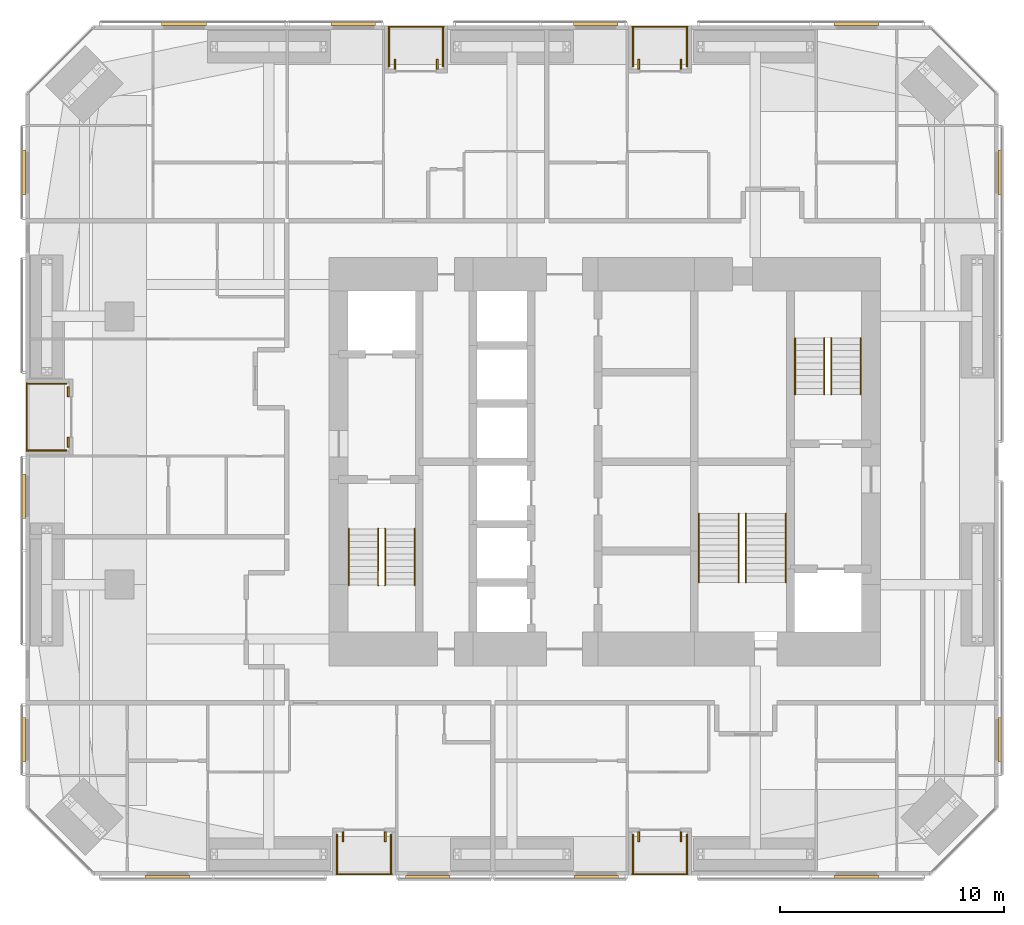
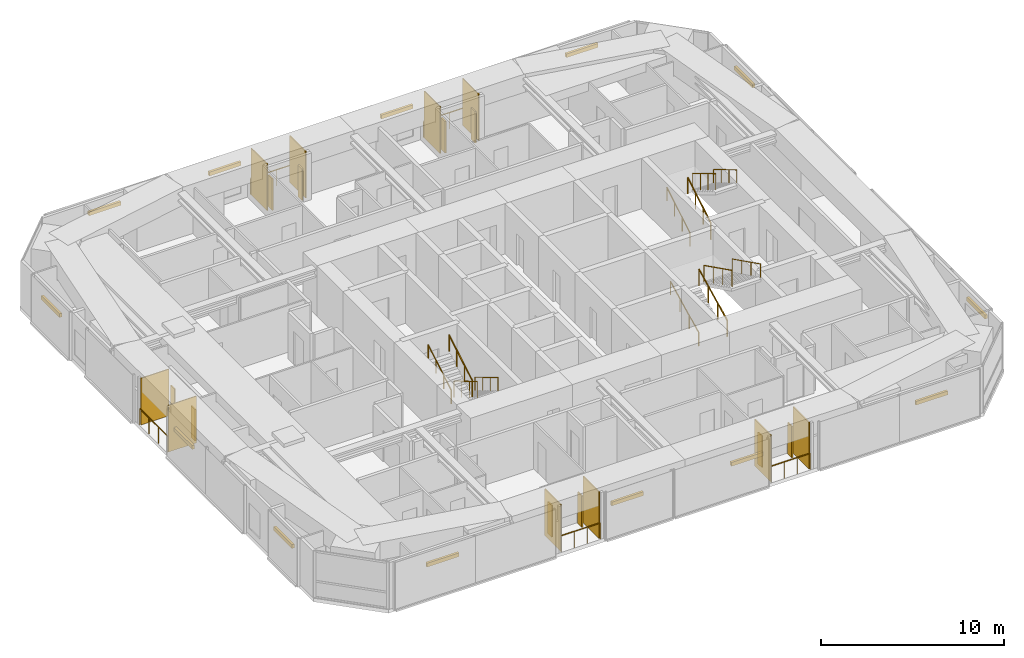
# One storey, part 24 of 24: 33 shading devices, 17 railings.
"""IFC4 building model written with IfcOpenShell, lengths in metres."""

from ifc_helpers import new_model, si_unit, direction, frame, origin, origin_2d, place, context, subcontext, project, spatial, rectangle, circle, extrude, material, layer, layer_set, constituent, constituent_set, type_object, element, save


model = new_model("IFC4")

# Units and contexts
model_context = context("Model", 3, precision=1e-05, world=origin(), true_north=direction((0.0, 1.0)))
body_context = subcontext(model_context, "Body", "Model", "MODEL_VIEW")
ifc_project = project(units=[si_unit("LENGTHUNIT", "METRE"), si_unit("AREAUNIT", "SQUARE_METRE"), si_unit("VOLUMEUNIT", "CUBIC_METRE"), si_unit("PLANEANGLEUNIT", "RADIAN"), si_unit("MASSUNIT", "GRAM", prefix="KILO")], contexts=[model_context])

# Site, building, storey
site_placement = place(None, origin())
site = spatial("IfcSite", under=ifc_project, at=site_placement, CompositionType="ELEMENT")
building_placement = place(site_placement, origin())
building = spatial("IfcBuilding", under=site, at=building_placement, Name="Jalousie Tower", CompositionType="ELEMENT")
storey_placement = place(building_placement, frame((0.0, 0.0, 128.300048828125)))
storey = spatial("IfcBuildingStorey", under=building, at=storey_placement, Name="L35", CompositionType="ELEMENT", Elevation=128.300048828125)

# Shading devices
ifc_material_1 = material(Name="Aluminium impact-rated louvred storm shutter", Category="aluminium")
shading_device_type_1 = type_object("IfcShadingDeviceType", Name="BI-FOLD STORM SHUTTER 900x2100", PredefinedType="SHUTTER", material=ifc_material_1)
for number, where, z_axis, x_axis, name in (
    (1, (20.197509765625, 1.72509765625, 0.0), (0.0, 0.0, 1.0), (0.0, 1.0, 0.0), "Loggia storm shutter L35"),
    (2, (22.077392578125, 1.72509765625, 0.0), (0.0, 0.0, 1.0), (0.0, 1.0, 0.0), "Loggia storm shutter L35"),
    (3, (33.422607421875, 1.72509765625, 0.0), (0.0, 0.0, 1.0), (0.0, 1.0, 0.0), "Loggia storm shutter L35"),
    (4, (35.302490234375, 1.72509765625, 0.0), (0.0, 0.0, 1.0), (0.0, 1.0, 0.0), "Loggia storm shutter L35"),
    (5, (35.302490234375, 36.27490234375, 0.0), (0.0, 0.0, 1.0), (0.0, -1.0, 0.0), "Loggia storm shutter L35"),
    (6, (33.422607421875, 36.27490234375, 0.0), (0.0, 0.0, 1.0), (0.0, -1.0, 0.0), "Loggia storm shutter L35"),
    (7, (24.402587890625, 36.27490234375, 0.0), (0.0, 0.0, 1.0), (0.0, -1.0, 0.0), "Loggia storm shutter L35"),
    (8, (22.5224609375, 36.27490234375, 0.0), (0.0, 0.0, 1.0), (0.0, -1.0, 0.0), "Loggia storm shutter L35"),
    (9, (7.909912109375, 21.61865234375, 0.0), (0.0, 0.0, 1.0), (0.0, -1.0, 0.0), "Loggia storm shutter L35"),
    (10, (7.909912109375, 19.36865234375, 0.0), (0.0, 0.0, 1.0), (0.0, -1.0, 0.0), "Loggia storm shutter L35"),
):
    element("IfcShadingDevice", number, at=place(storey_placement, frame(where, z_axis=z_axis, x_axis=x_axis)), inside=storey, type_object=shading_device_type_1, Name=name, PredefinedType="SHUTTER", context=body_context, shape_type="SweptSolid", body=[
        extrude(rectangle(XDim=0.449951171875, YDim=0.080078125, at=origin_2d()), origin(), (0.0, 0.0, 1.0), 2.10009765625),
    ])

# Railings
ifc_material_2 = material(Name="Powder-coated aluminium fretwork", Category="aluminium")
railing_type_1 = type_object("IfcRailingType", Name="FRETWORK BALUSTRADE 1100", PredefinedType="BALUSTRADE", material=ifc_material_2)
for number, where, name in (
    (11, (19.89990234375, 0.050048828125, 0.0), "Loggia fretwork balustrade L35"),
    (12, (33.125, 0.050048828125, 0.0), "Loggia fretwork balustrade L35"),
):
    element("IfcRailing", number, at=place(storey_placement, frame(where)), inside=storey, type_object=railing_type_1, Name=name, PredefinedType="BALUSTRADE", context=body_context, shape_type="SweptSolid", body=[
        extrude(rectangle(XDim=0.048095703125, YDim=0.048095703125, at=origin_2d()), frame((0.0, 0.0, 1.076171875), z_axis=(1.0, 0.0, 0.0), x_axis=(0.0, 1.0, 0.0)), (0.0, 0.0, 1.0), 2.47509765625),
        extrude(circle(Radius=0.02099609375, at=origin_2d()), origin(), (0.0, 0.0, 1.0), 1.052001953125),
        extrude(circle(Radius=0.02099609375, at=origin_2d()), frame((0.824951171875, 0.0, 0.0)), (0.0, 0.0, 1.0), 1.052001953125),
        extrude(circle(Radius=0.02099609375, at=origin_2d()), frame((1.650146484375, 0.0, 0.0)), (0.0, 0.0, 1.0), 1.052001953125),
        extrude(circle(Radius=0.02099609375, at=origin_2d()), frame((2.47509765625, 0.0, 0.0)), (0.0, 0.0, 1.0), 1.052001953125),
    ])
railing_1_placement = place(storey_placement, frame((35.60009765625, 37.949951171875, 0.0)))
element("IfcRailing", 13, at=railing_1_placement, inside=storey, type_object=railing_type_1, Name="Loggia fretwork balustrade L35", PredefinedType="BALUSTRADE", context=body_context, shape_type="SweptSolid", body=[
    extrude(rectangle(XDim=0.048095703125, YDim=0.048095703125, at=origin_2d()), frame((0.0, 0.0, 1.076171875), z_axis=(-1.0, 0.0, 0.0), x_axis=(0.0, -1.0, 0.0)), (0.0, 0.0, 1.0), 2.47509765625),
    extrude(circle(Radius=0.02099609375, at=origin_2d()), origin(), (0.0, 0.0, 1.0), 1.052001953125),
    extrude(circle(Radius=0.02099609375, at=origin_2d()), frame((-0.824951171875, 0.0, 0.0)), (0.0, 0.0, 1.0), 1.052001953125),
    extrude(circle(Radius=0.02099609375, at=origin_2d()), frame((-1.650146484375, 0.0, 0.0)), (0.0, 0.0, 1.0), 1.052001953125),
    extrude(circle(Radius=0.02099609375, at=origin_2d()), frame((-2.47509765625, 0.0, 0.0)), (0.0, 0.0, 1.0), 1.052001953125),
])
railing_2_placement = place(storey_placement, frame((24.699951171875, 37.949951171875, 0.0)))
element("IfcRailing", 14, at=railing_2_placement, inside=storey, type_object=railing_type_1, Name="Loggia fretwork balustrade L35", PredefinedType="BALUSTRADE", context=body_context, shape_type="SweptSolid", body=[
    extrude(rectangle(XDim=0.048095703125, YDim=0.048095703125, at=origin_2d()), frame((0.0, 0.0, 1.076171875), z_axis=(-1.0, 0.0, 0.0), x_axis=(0.0, -1.0, 0.0)), (0.0, 0.0, 1.0), 2.474853515625),
    extrude(circle(Radius=0.02099609375, at=origin_2d()), origin(), (0.0, 0.0, 1.0), 1.052001953125),
    extrude(circle(Radius=0.02099609375, at=origin_2d()), frame((-0.824951171875, 0.0, 0.0)), (0.0, 0.0, 1.0), 1.052001953125),
    extrude(circle(Radius=0.02099609375, at=origin_2d()), frame((-1.64990234375, 0.0, 0.0)), (0.0, 0.0, 1.0), 1.052001953125),
    extrude(circle(Radius=0.02099609375, at=origin_2d()), frame((-2.474853515625, 0.0, 0.0)), (0.0, 0.0, 1.0), 1.052001953125),
])
railing_3_placement = place(storey_placement, frame((6.050048828125, 22.012451171875, 0.0)))
element("IfcRailing", 15, at=railing_3_placement, inside=storey, type_object=railing_type_1, Name="Loggia fretwork balustrade L35", PredefinedType="BALUSTRADE", context=body_context, shape_type="SweptSolid", body=[
    extrude(rectangle(XDim=0.048095703125, YDim=0.048095703125, at=origin_2d()), frame((0.0, 0.0, 1.076171875), z_axis=(0.0, -1.0, 0.0), x_axis=(1.0, 0.0, 0.0)), (0.0, 0.0, 1.0), 3.037353515625),
    extrude(circle(Radius=0.02099609375, at=origin_2d()), origin(), (0.0, 0.0, 1.0), 1.052001953125),
    extrude(circle(Radius=0.02099609375, at=origin_2d()), frame((0.0, -1.012451171875, 0.0)), (0.0, 0.0, 1.0), 1.052001953125),
    extrude(circle(Radius=0.02099609375, at=origin_2d()), frame((0.0, -2.02490234375, 0.0)), (0.0, 0.0, 1.0), 1.052001953125),
    extrude(circle(Radius=0.02099609375, at=origin_2d()), frame((0.0, -3.037353515625, 0.0)), (0.0, 0.0, 1.0), 1.052001953125),
])

# Shading devices
ifc_material_3 = material(Name="Powder-coated aluminium louvres", Category="aluminium")
ifc_layer = layer(ifc_material_3, 0.06005859375)
ifc_layer_set = layer_set([ifc_layer], Name="Powder-coated aluminium louvres")
shading_device_type_2 = type_object("IfcShadingDeviceType", Name="JALOUSIE LOUVRE SCREEN", PredefinedType="JALOUSIE", material=ifc_layer_set)
for number, where, z_axis, x_axis, name in (
    (16, (19.929931640625, 0.97509765625, 0.0), (0.0, 0.0, 1.0), (1.0, 0.0, 0.0), "Loggia jalousie louvre screen L35"),
    (17, (22.344970703125, 0.97509765625, 0.0), (0.0, 0.0, 1.0), (1.0, 0.0, 0.0), "Loggia jalousie louvre screen L35"),
    (18, (33.155029296875, 0.97509765625, 0.0), (0.0, 0.0, 1.0), (1.0, 0.0, 0.0), "Loggia jalousie louvre screen L35"),
    (19, (35.570068359375, 0.97509765625, 0.0), (0.0, 0.0, 1.0), (1.0, 0.0, 0.0), "Loggia jalousie louvre screen L35"),
    (20, (35.570068359375, 37.02490234375, 0.0), (0.0, 0.0, 1.0), (-1.0, 0.0, 0.0), "Loggia jalousie louvre screen L35"),
    (21, (33.155029296875, 37.02490234375, 0.0), (0.0, 0.0, 1.0), (-1.0, 0.0, 0.0), "Loggia jalousie louvre screen L35"),
    (22, (24.669921875, 37.02490234375, 0.0), (0.0, 0.0, 1.0), (-1.0, 0.0, 0.0), "Loggia jalousie louvre screen L35"),
    (23, (22.2548828125, 37.02490234375, 0.0), (0.0, 0.0, 1.0), (-1.0, 0.0, 0.0), "Loggia jalousie louvre screen L35"),
    (24, (6.97509765625, 21.982421875, 0.0), (0.0, 0.0, 1.0), (0.0, -1.0, 0.0), "Loggia jalousie louvre screen L35"),
    (25, (6.97509765625, 19.0048828125, 0.0), (0.0, 0.0, 1.0), (0.0, -1.0, 0.0), "Loggia jalousie louvre screen L35"),
):
    element("IfcShadingDevice", number, at=place(storey_placement, frame(where, z_axis=z_axis, x_axis=x_axis)), inside=storey, type_object=shading_device_type_2, Name=name, PredefinedType="JALOUSIE", context=body_context, shape_type="SweptSolid", body=[
        extrude(rectangle(XDim=0.06005859375, YDim=1.75, at=origin_2d()), origin(), (0.0, 0.0, 1.0), 3.110107421875),
    ])

# Railings
ifc_material_4 = material(Name="Steel ASTM A500 Grade C", Category="steel")
ifc_constituent_1 = constituent(ifc_material_4, Name="Body")
ifc_material_5 = material(Name="Hot-dip galvanised zinc coating")
ifc_constituent_2 = constituent(ifc_material_5, Name="Finish")
ifc_constituent_set_1 = constituent_set(constituents=[ifc_constituent_1, ifc_constituent_2])
railing_type_2 = type_object("IfcRailingType", Name="STAIR GUARD 1100", PredefinedType="GUARDRAIL", material=ifc_constituent_set_1)
railing_4_placement = place(storey_placement, frame((22.080078125, 15.49755859375, 0.16748046875)))
element("IfcRailing", 26, at=railing_4_placement, inside=storey, type_object=railing_type_2, Name="Exit stair A guard L35 flight 1", PredefinedType="GUARDRAIL", context=body_context, shape_type="SweptSolid", body=[
    extrude(rectangle(XDim=0.048095703125, YDim=0.048095703125, at=origin_2d()), frame((0.0, 0.0, 1.076171875), z_axis=(0.0, -0.858159760407, 0.513382728203), x_axis=(1.0, 0.0, 0.0)), (0.0, 0.0, 1.0), 2.9365234375),
    extrude(circle(Radius=0.02099609375, at=origin_2d()), origin(), (0.0, 0.0, 1.0), 1.052001953125),
    extrude(circle(Radius=0.02099609375, at=origin_2d()), frame((0.0, -0.840087890625, 0.50244140625)), (0.0, 0.0, 1.0), 1.052001953125),
    extrude(circle(Radius=0.02099609375, at=origin_2d()), frame((0.0, -1.679931640625, 1.005126953125)), (0.0, 0.0, 1.0), 1.052001953125),
    extrude(circle(Radius=0.02099609375, at=origin_2d()), frame((0.0, -2.52001953125, 1.507568359375)), (0.0, 0.0, 1.0), 1.052001953125),
])
railing_5_placement = place(storey_placement, frame((21.77001953125, 12.9775390625, 1.842529296875)))
element("IfcRailing", 27, at=railing_5_placement, inside=storey, type_object=railing_type_2, Name="Exit stair A guard L35 flight 2", PredefinedType="GUARDRAIL", context=body_context, shape_type="SweptSolid", body=[
    extrude(rectangle(XDim=0.048095703125, YDim=0.048095703125, at=origin_2d()), frame((0.0, 0.0, 1.076171875), z_axis=(0.0, 0.858196387827, 0.513321497621), x_axis=(-1.0, 0.0, 0.0)), (0.0, 0.0, 1.0), 2.9365234375),
    extrude(circle(Radius=0.02099609375, at=origin_2d()), origin(), (0.0, 0.0, 1.0), 1.052001953125),
    extrude(circle(Radius=0.02099609375, at=origin_2d()), frame((0.0, 0.840087890625, 0.50244140625)), (0.0, 0.0, 1.0), 1.052001953125),
    extrude(circle(Radius=0.02099609375, at=origin_2d()), frame((0.0, 1.679931640625, 1.0048828125)), (0.0, 0.0, 1.0), 1.052001953125),
    extrude(circle(Radius=0.02099609375, at=origin_2d()), frame((0.0, 2.52001953125, 1.50732421875)), (0.0, 0.0, 1.0), 1.052001953125),
])
railing_6_placement = place(storey_placement, frame((41.719970703125, 21.50244140625, 0.16748046875)))
element("IfcRailing", 28, at=railing_6_placement, inside=storey, type_object=railing_type_2, Name="Exit stair B guard L35 flight 1", PredefinedType="GUARDRAIL", context=body_context, shape_type="SweptSolid", body=[
    extrude(rectangle(XDim=0.048095703125, YDim=0.048095703125, at=origin_2d()), frame((0.0, 0.0, 1.076171875), z_axis=(0.0, 0.858159760407, 0.513382728203), x_axis=(-1.0, 0.0, 0.0)), (0.0, 0.0, 1.0), 2.9365234375),
    extrude(circle(Radius=0.02099609375, at=origin_2d()), origin(), (0.0, 0.0, 1.0), 1.052001953125),
    extrude(circle(Radius=0.02099609375, at=origin_2d()), frame((0.0, 0.840087890625, 0.50244140625)), (0.0, 0.0, 1.0), 1.052001953125),
    extrude(circle(Radius=0.02099609375, at=origin_2d()), frame((0.0, 1.679931640625, 1.005126953125)), (0.0, 0.0, 1.0), 1.052001953125),
    extrude(circle(Radius=0.02099609375, at=origin_2d()), frame((0.0, 2.52001953125, 1.507568359375)), (0.0, 0.0, 1.0), 1.052001953125),
])
railing_7_placement = place(storey_placement, frame((42.030029296875, 24.0224609375, 1.842529296875)))
element("IfcRailing", 29, at=railing_7_placement, inside=storey, type_object=railing_type_2, Name="Exit stair B guard L35 flight 2", PredefinedType="GUARDRAIL", context=body_context, shape_type="SweptSolid", body=[
    extrude(rectangle(XDim=0.048095703125, YDim=0.048095703125, at=origin_2d()), frame((0.0, 0.0, 1.076171875), z_axis=(0.0, -0.858196387827, 0.513321497621), x_axis=(1.0, 0.0, 0.0)), (0.0, 0.0, 1.0), 2.9365234375),
    extrude(circle(Radius=0.02099609375, at=origin_2d()), origin(), (0.0, 0.0, 1.0), 1.052001953125),
    extrude(circle(Radius=0.02099609375, at=origin_2d()), frame((0.0, -0.840087890625, 0.50244140625)), (0.0, 0.0, 1.0), 1.052001953125),
    extrude(circle(Radius=0.02099609375, at=origin_2d()), frame((0.0, -1.679931640625, 1.0048828125)), (0.0, 0.0, 1.0), 1.052001953125),
    extrude(circle(Radius=0.02099609375, at=origin_2d()), frame((0.0, -2.52001953125, 1.50732421875)), (0.0, 0.0, 1.0), 1.052001953125),
])
railing_8_placement = place(storey_placement, frame((37.89501953125, 13.097412109375, 0.1396484375)))
element("IfcRailing", 30, at=railing_8_placement, inside=storey, type_object=railing_type_2, Name="Exit stair C guard L35 flight 1", PredefinedType="GUARDRAIL", context=body_context, shape_type="SweptSolid", body=[
    extrude(rectangle(XDim=0.048095703125, YDim=0.048095703125, at=origin_2d()), frame((0.0, 0.0, 1.076171875), z_axis=(0.0, 0.894965676997, 0.446134998624), x_axis=(-1.0, 0.0, 0.0)), (0.0, 0.0, 1.0), 3.441650390625),
    extrude(circle(Radius=0.02099609375, at=origin_2d()), origin(), (0.0, 0.0, 1.0), 1.052001953125),
    extrude(circle(Radius=0.02099609375, at=origin_2d()), frame((0.0, 1.026611328125, 0.51171875)), (0.0, 0.0, 1.0), 1.052001953125),
    extrude(circle(Radius=0.02099609375, at=origin_2d()), frame((0.0, 2.053466796875, 1.023681640625)), (0.0, 0.0, 1.0), 1.052001953125),
    extrude(circle(Radius=0.02099609375, at=origin_2d()), frame((0.0, 3.080078125, 1.535400390625)), (0.0, 0.0, 1.0), 1.052001953125),
])
railing_9_placement = place(storey_placement, frame((38.205078125, 16.177490234375, 1.814453125)))
element("IfcRailing", 31, at=railing_9_placement, inside=storey, type_object=railing_type_2, Name="Exit stair C guard L35 flight 2", PredefinedType="GUARDRAIL", context=body_context, shape_type="SweptSolid", body=[
    extrude(rectangle(XDim=0.048095703125, YDim=0.048095703125, at=origin_2d()), frame((0.0, 0.0, 1.076171875), z_axis=(0.0, -0.894965676997, 0.446134998624), x_axis=(1.0, 0.0, 0.0)), (0.0, 0.0, 1.0), 3.441650390625),
    extrude(circle(Radius=0.02099609375, at=origin_2d()), origin(), (0.0, 0.0, 1.0), 1.052001953125),
    extrude(circle(Radius=0.02099609375, at=origin_2d()), frame((0.0, -1.026611328125, 0.51171875)), (0.0, 0.0, 1.0), 1.052001953125),
    extrude(circle(Radius=0.02099609375, at=origin_2d()), frame((0.0, -2.053466796875, 1.023681640625)), (0.0, 0.0, 1.0), 1.052001953125),
    extrude(circle(Radius=0.02099609375, at=origin_2d()), frame((0.0, -3.080078125, 1.535400390625)), (0.0, 0.0, 1.0), 1.052001953125),
])
ifc_material_6 = material(Name="Steel ASTM A500 Grade C", Category="steel")
ifc_constituent_3 = constituent(ifc_material_6, Name="Body")
ifc_material_7 = material(Name="Hot-dip galvanised zinc coating")
ifc_constituent_4 = constituent(ifc_material_7, Name="Finish")
ifc_constituent_set_2 = constituent_set(constituents=[ifc_constituent_3, ifc_constituent_4])
railing_type_3 = type_object("IfcRailingType", Name="STAIR HANDRAIL 900", PredefinedType="HANDRAIL", material=ifc_constituent_set_2)
railing_10_placement = place(storey_placement, frame((23.39501953125, 15.49755859375, 0.16748046875)))
element("IfcRailing", 32, at=railing_10_placement, inside=storey, type_object=railing_type_3, Name="Exit stair A handrail L35 flight 1", PredefinedType="HANDRAIL", context=body_context, shape_type="SweptSolid", body=[
    extrude(circle(Radius=0.02392578125, at=origin_2d()), frame((0.0, 0.0, 0.8759765625), z_axis=(0.0, -0.858159760407, 0.513382728203), x_axis=(1.0, 0.0, 0.0)), (0.0, 0.0, 1.0), 2.9365234375),
    extrude(circle(Radius=0.02099609375, at=origin_2d()), origin(), (0.0, 0.0, 1.0), 0.851806640625),
    extrude(circle(Radius=0.02099609375, at=origin_2d()), frame((0.0, -0.840087890625, 0.50244140625)), (0.0, 0.0, 1.0), 0.851806640625),
    extrude(circle(Radius=0.02099609375, at=origin_2d()), frame((0.0, -1.679931640625, 1.005126953125)), (0.0, 0.0, 1.0), 0.851806640625),
    extrude(circle(Radius=0.02099609375, at=origin_2d()), frame((0.0, -2.52001953125, 1.507568359375)), (0.0, 0.0, 1.0), 0.851806640625),
])
railing_11_placement = place(storey_placement, frame((20.455078125, 12.9775390625, 1.842529296875)))
element("IfcRailing", 33, at=railing_11_placement, inside=storey, type_object=railing_type_3, Name="Exit stair A handrail L35 flight 2", PredefinedType="HANDRAIL", context=body_context, shape_type="SweptSolid", body=[
    extrude(circle(Radius=0.02392578125, at=origin_2d()), frame((0.0, 0.0, 0.8759765625), z_axis=(0.0, 0.858196387827, 0.513321497621), x_axis=(-1.0, 0.0, 0.0)), (0.0, 0.0, 1.0), 2.9365234375),
    extrude(circle(Radius=0.02099609375, at=origin_2d()), origin(), (0.0, 0.0, 1.0), 0.851806640625),
    extrude(circle(Radius=0.02099609375, at=origin_2d()), frame((0.0, 0.840087890625, 0.50244140625)), (0.0, 0.0, 1.0), 0.851806640625),
    extrude(circle(Radius=0.02099609375, at=origin_2d()), frame((0.0, 1.679931640625, 1.0048828125)), (0.0, 0.0, 1.0), 0.851806640625),
    extrude(circle(Radius=0.02099609375, at=origin_2d()), frame((0.0, 2.52001953125, 1.50732421875)), (0.0, 0.0, 1.0), 0.851806640625),
])
railing_12_placement = place(storey_placement, frame((40.405029296875, 21.50244140625, 0.16748046875)))
element("IfcRailing", 34, at=railing_12_placement, inside=storey, type_object=railing_type_3, Name="Exit stair B handrail L35 flight 1", PredefinedType="HANDRAIL", context=body_context, shape_type="SweptSolid", body=[
    extrude(circle(Radius=0.02392578125, at=origin_2d()), frame((0.0, 0.0, 0.8759765625), z_axis=(0.0, 0.858159760407, 0.513382728203), x_axis=(-1.0, 0.0, 0.0)), (0.0, 0.0, 1.0), 2.9365234375),
    extrude(circle(Radius=0.02099609375, at=origin_2d()), origin(), (0.0, 0.0, 1.0), 0.851806640625),
    extrude(circle(Radius=0.02099609375, at=origin_2d()), frame((0.0, 0.840087890625, 0.50244140625)), (0.0, 0.0, 1.0), 0.851806640625),
    extrude(circle(Radius=0.02099609375, at=origin_2d()), frame((0.0, 1.679931640625, 1.005126953125)), (0.0, 0.0, 1.0), 0.851806640625),
    extrude(circle(Radius=0.02099609375, at=origin_2d()), frame((0.0, 2.52001953125, 1.507568359375)), (0.0, 0.0, 1.0), 0.851806640625),
])
railing_13_placement = place(storey_placement, frame((43.344970703125, 24.0224609375, 1.842529296875)))
element("IfcRailing", 35, at=railing_13_placement, inside=storey, type_object=railing_type_3, Name="Exit stair B handrail L35 flight 2", PredefinedType="HANDRAIL", context=body_context, shape_type="SweptSolid", body=[
    extrude(circle(Radius=0.02392578125, at=origin_2d()), frame((0.0, 0.0, 0.8759765625), z_axis=(0.0, -0.858196387827, 0.513321497621), x_axis=(1.0, 0.0, 0.0)), (0.0, 0.0, 1.0), 2.9365234375),
    extrude(circle(Radius=0.02099609375, at=origin_2d()), origin(), (0.0, 0.0, 1.0), 0.851806640625),
    extrude(circle(Radius=0.02099609375, at=origin_2d()), frame((0.0, -0.840087890625, 0.50244140625)), (0.0, 0.0, 1.0), 0.851806640625),
    extrude(circle(Radius=0.02099609375, at=origin_2d()), frame((0.0, -1.679931640625, 1.0048828125)), (0.0, 0.0, 1.0), 0.851806640625),
    extrude(circle(Radius=0.02099609375, at=origin_2d()), frame((0.0, -2.52001953125, 1.50732421875)), (0.0, 0.0, 1.0), 0.851806640625),
])
railing_14_placement = place(storey_placement, frame((36.10498046875, 13.097412109375, 0.1396484375)))
element("IfcRailing", 36, at=railing_14_placement, inside=storey, type_object=railing_type_3, Name="Exit stair C handrail L35 flight 1", PredefinedType="HANDRAIL", context=body_context, shape_type="SweptSolid", body=[
    extrude(circle(Radius=0.02392578125, at=origin_2d()), frame((0.0, 0.0, 0.8759765625), z_axis=(0.0, 0.894965676997, 0.446134998624), x_axis=(-1.0, 0.0, 0.0)), (0.0, 0.0, 1.0), 3.441650390625),
    extrude(circle(Radius=0.02099609375, at=origin_2d()), origin(), (0.0, 0.0, 1.0), 0.851806640625),
    extrude(circle(Radius=0.02099609375, at=origin_2d()), frame((0.0, 1.026611328125, 0.51171875)), (0.0, 0.0, 1.0), 0.851806640625),
    extrude(circle(Radius=0.02099609375, at=origin_2d()), frame((0.0, 2.053466796875, 1.023681640625)), (0.0, 0.0, 1.0), 0.851806640625),
    extrude(circle(Radius=0.02099609375, at=origin_2d()), frame((0.0, 3.080078125, 1.535400390625)), (0.0, 0.0, 1.0), 0.851806640625),
])
railing_15_placement = place(storey_placement, frame((39.9951171875, 16.177490234375, 1.814453125)))
element("IfcRailing", 37, at=railing_15_placement, inside=storey, type_object=railing_type_3, Name="Exit stair C handrail L35 flight 2", PredefinedType="HANDRAIL", context=body_context, shape_type="SweptSolid", body=[
    extrude(circle(Radius=0.02392578125, at=origin_2d()), frame((0.0, 0.0, 0.8759765625), z_axis=(0.0, -0.894965676997, 0.446134998624), x_axis=(1.0, 0.0, 0.0)), (0.0, 0.0, 1.0), 3.441650390625),
    extrude(circle(Radius=0.02099609375, at=origin_2d()), origin(), (0.0, 0.0, 1.0), 0.851806640625),
    extrude(circle(Radius=0.02099609375, at=origin_2d()), frame((0.0, -1.026611328125, 0.51171875)), (0.0, 0.0, 1.0), 0.851806640625),
    extrude(circle(Radius=0.02099609375, at=origin_2d()), frame((0.0, -2.053466796875, 1.023681640625)), (0.0, 0.0, 1.0), 0.851806640625),
    extrude(circle(Radius=0.02099609375, at=origin_2d()), frame((0.0, -3.080078125, 1.535400390625)), (0.0, 0.0, 1.0), 0.851806640625),
])

# Shading devices
ifc_material_8 = material(Name="Aluminium roller storm shutter", Category="aluminium")
shading_device_type_3 = type_object("IfcShadingDeviceType", Name="STORM SHUTTER HOUSING", PredefinedType="SHUTTER", material=ifc_material_8)
for number, where, z_axis, x_axis, name in (
    (38, (12.35009765625, -0.074951171875, 2.099853515625), (0.0, 0.0, 1.0), (1.0, 0.0, 0.0), "Storm shutter L35"),
    (39, (23.982421875, -0.074951171875, 2.099853515625), (0.0, 0.0, 1.0), (1.0, 0.0, 0.0), "Storm shutter L35"),
    (40, (31.514892578125, -0.074951171875, 2.099853515625), (0.0, 0.0, 1.0), (1.0, 0.0, 0.0), "Storm shutter L35"),
    (41, (43.14990234375, -0.074951171875, 2.099853515625), (0.0, 0.0, 1.0), (1.0, 0.0, 0.0), "Storm shutter L35"),
    (42, (49.574951171875, 6.0693359375, 2.099853515625), (0.0, 0.0, 1.0), (0.0, 1.0, 0.0), "Storm shutter L35"),
    (43, (49.574951171875, 31.4306640625, 2.099853515625), (0.0, 0.0, 1.0), (0.0, 1.0, 0.0), "Storm shutter L35"),
    (44, (43.14990234375, 38.074951171875, 2.099853515625), (0.0, 0.0, 1.0), (-1.0, 0.0, 0.0), "Storm shutter L35"),
    (45, (31.5, 38.074951171875, 2.099853515625), (0.0, 0.0, 1.0), (-1.0, 0.0, 0.0), "Storm shutter L35"),
    (46, (20.657470703125, 38.074951171875, 2.099853515625), (0.0, 0.0, 1.0), (-1.0, 0.0, 0.0), "Storm shutter L35"),
    (47, (13.0849609375, 38.074951171875, 2.099853515625), (0.0, 0.0, 1.0), (-1.0, 0.0, 0.0), "Storm shutter L35"),
    (48, (5.925048828125, 31.4306640625, 2.099853515625), (0.0, 0.0, 1.0), (0.0, -1.0, 0.0), "Storm shutter L35"),
    (49, (5.925048828125, 16.949951171875, 2.099853515625), (0.0, 0.0, 1.0), (0.0, -1.0, 0.0), "Storm shutter L35"),
    (50, (5.925048828125, 6.0693359375, 2.099853515625), (0.0, 0.0, 1.0), (0.0, -1.0, 0.0), "Storm shutter L35"),
):
    element("IfcShadingDevice", number, at=place(storey_placement, frame(where, z_axis=z_axis, x_axis=x_axis)), inside=storey, type_object=shading_device_type_3, Name=name, PredefinedType="SHUTTER", context=body_context, shape_type="SweptSolid", body=[
        extrude(rectangle(XDim=2.0, YDim=0.14990234375, at=origin_2d()), origin(), (0.0, 0.0, 1.0), 0.25),
    ])

save(model, "model.ifc")
